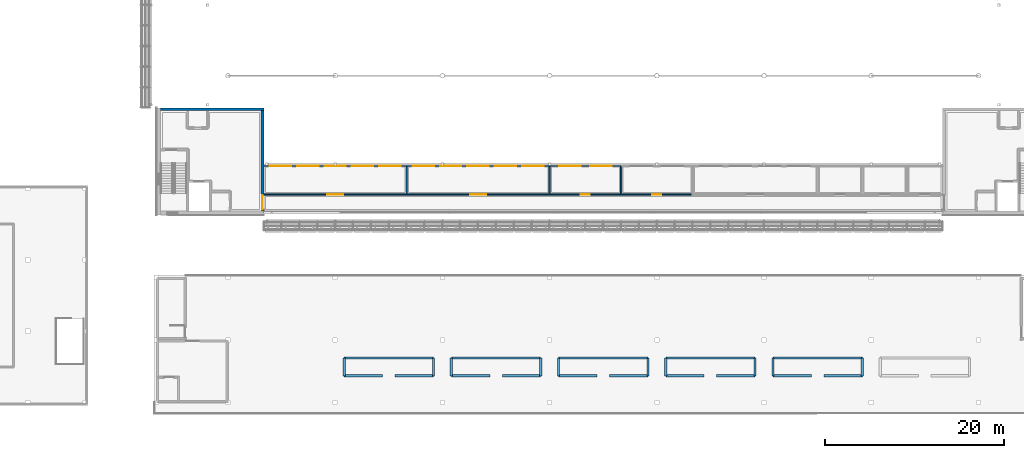
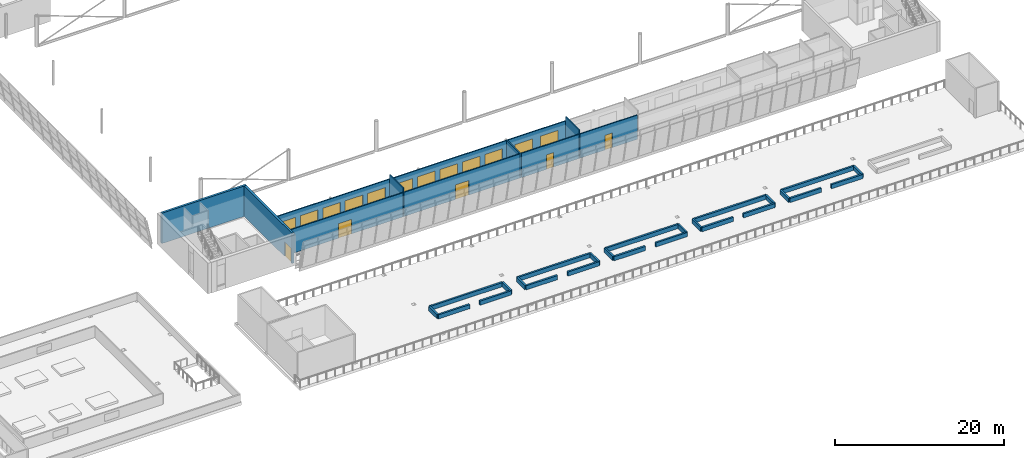
# One storey, part 49 of 95: 37 walls, 12 windows, 5 doors, 17 openings.
"""IFC4 building model written with IfcOpenShell, lengths in metres."""

from ifc_helpers import new_model, si_unit, direction, frame, frame_2d, origin, place, context, subcontext, project, spatial, rectangle, extrude, material, layer, layer_set, type_object, element, fill, save


model = new_model("IFC4")

# Units and contexts
model_context = context("Model", 3, precision=1e-05, world=origin(), true_north=direction((0.0, 1.0)))
body_context = subcontext(model_context, "Body", "Model", "MODEL_VIEW")
ifc_project = project(units=[si_unit("LENGTHUNIT", "METRE"), si_unit("AREAUNIT", "SQUARE_METRE"), si_unit("VOLUMEUNIT", "CUBIC_METRE"), si_unit("PLANEANGLEUNIT", "RADIAN"), si_unit("MASSUNIT", "GRAM", prefix="KILO")], contexts=[model_context])

# Site, building, storey
site_placement = place(None, origin())
site = spatial("IfcSite", under=ifc_project, at=site_placement, CompositionType="ELEMENT")
building_placement = place(site_placement, origin())
building = spatial("IfcBuilding", under=site, at=building_placement, Name="Windward Yard Aquatics Centre", CompositionType="ELEMENT")
storey_placement = place(building_placement, frame((0.0, 0.0, 9.39990234375)))
storey = spatial("IfcBuildingStorey", under=building, at=storey_placement, Name="L02", CompositionType="ELEMENT", Elevation=9.39990234375)

# Walls
ifc_material_1 = material(Name="Bituminous waterproofing membrane with root barrier")
ifc_layer_1 = layer(ifc_material_1, 0.005, Name="Waterproofing and root barrier")
ifc_material_2 = material(Name="Concrete C35/45", Category="concrete")
ifc_layer_2 = layer(ifc_material_2, 0.245, Name="Structure")
ifc_layer_set_1 = layer_set([ifc_layer_1, ifc_layer_2], Name="C planter wall 250")
wall_type_1 = type_object("IfcWallType", Name="C planter wall 250", PredefinedType="SOLIDWALL", material=ifc_layer_set_1)
for number, where, z_axis, x_axis, name in (
    (1, (73.0, 8.0, 0.0), (0.0, 0.0, 1.0), (1.0, 0.0, 0.0), "C.W.L02.PL2S1"),
    (2, (78.699951171875, 8.0, 0.0), (0.0, 0.0, 1.0), (1.0, 0.0, 0.0), "C.W.L02.PL2S2"),
):
    element("IfcWall", number, at=place(storey_placement, frame(where, z_axis=z_axis, x_axis=x_axis)), inside=storey, type_object=wall_type_1, Name=name, PredefinedType="SOLIDWALL", context=body_context, shape_type="SweptSolid", body=[
        extrude(rectangle(XDim=4.300048828125, YDim=0.25, at=frame_2d((2.14990234375, 0.0))), origin(), (0.0, 0.0, 1.0), 0.60009765625),
    ])
wall_1_placement = place(storey_placement, frame((73.0, 10.0, 0.0), z_axis=(0.0, 0.0, 1.0), x_axis=(1.0, 0.0, 0.0)))
element("IfcWall", 3, at=wall_1_placement, inside=storey, type_object=wall_type_1, Name="C.W.L02.PL2N", PredefinedType="SOLIDWALL", context=body_context, shape_type="SweptSolid", body=[
    extrude(rectangle(XDim=10.0, YDim=0.25, at=frame_2d((5.0, 0.0))), origin(), (0.0, 0.0, 1.0), 0.60009765625),
])
for number, where, z_axis, x_axis, name in (
    (4, (73.0, 8.0, 0.0), (0.0, 0.0, 1.0), (0.0, 1.0, 0.0), "C.W.L02.PL2W"),
    (5, (83.0, 8.0, 0.0), (0.0, 0.0, 1.0), (0.0, 1.0, 0.0), "C.W.L02.PL2E"),
):
    element("IfcWall", number, at=place(storey_placement, frame(where, z_axis=z_axis, x_axis=x_axis)), inside=storey, type_object=wall_type_1, Name=name, PredefinedType="SOLIDWALL", context=body_context, shape_type="SweptSolid", body=[
        extrude(rectangle(XDim=2.0, YDim=0.25, at=frame_2d((1.0, 0.0))), origin(), (0.0, 0.0, 1.0), 0.60009765625),
    ])
for number, where, z_axis, x_axis, name in (
    (6, (85.0, 8.0, 0.0), (0.0, 0.0, 1.0), (1.0, 0.0, 0.0), "C.W.L02.PL3S1"),
    (7, (90.699951171875, 8.0, 0.0), (0.0, 0.0, 1.0), (1.0, 0.0, 0.0), "C.W.L02.PL3S2"),
):
    element("IfcWall", number, at=place(storey_placement, frame(where, z_axis=z_axis, x_axis=x_axis)), inside=storey, type_object=wall_type_1, Name=name, PredefinedType="SOLIDWALL", context=body_context, shape_type="SweptSolid", body=[
        extrude(rectangle(XDim=4.300048828125, YDim=0.25, at=frame_2d((2.14990234375, 0.0))), origin(), (0.0, 0.0, 1.0), 0.60009765625),
    ])
wall_2_placement = place(storey_placement, frame((85.0, 10.0, 0.0), z_axis=(0.0, 0.0, 1.0), x_axis=(1.0, 0.0, 0.0)))
element("IfcWall", 8, at=wall_2_placement, inside=storey, type_object=wall_type_1, Name="C.W.L02.PL3N", PredefinedType="SOLIDWALL", context=body_context, shape_type="SweptSolid", body=[
    extrude(rectangle(XDim=10.0, YDim=0.25, at=frame_2d((5.0, 0.0))), origin(), (0.0, 0.0, 1.0), 0.60009765625),
])
for number, where, z_axis, x_axis, name in (
    (9, (85.0, 8.0, 0.0), (0.0, 0.0, 1.0), (0.0, 1.0, 0.0), "C.W.L02.PL3W"),
    (10, (95.0, 8.0, 0.0), (0.0, 0.0, 1.0), (0.0, 1.0, 0.0), "C.W.L02.PL3E"),
):
    element("IfcWall", number, at=place(storey_placement, frame(where, z_axis=z_axis, x_axis=x_axis)), inside=storey, type_object=wall_type_1, Name=name, PredefinedType="SOLIDWALL", context=body_context, shape_type="SweptSolid", body=[
        extrude(rectangle(XDim=2.0, YDim=0.25, at=frame_2d((1.0, 0.0))), origin(), (0.0, 0.0, 1.0), 0.60009765625),
    ])
for number, where, z_axis, x_axis, name in (
    (11, (97.0, 8.0, 0.0), (0.0, 0.0, 1.0), (1.0, 0.0, 0.0), "C.W.L02.PL4S1"),
    (12, (102.699951171875, 8.0, 0.0), (0.0, 0.0, 1.0), (1.0, 0.0, 0.0), "C.W.L02.PL4S2"),
):
    element("IfcWall", number, at=place(storey_placement, frame(where, z_axis=z_axis, x_axis=x_axis)), inside=storey, type_object=wall_type_1, Name=name, PredefinedType="SOLIDWALL", context=body_context, shape_type="SweptSolid", body=[
        extrude(rectangle(XDim=4.300048828125, YDim=0.25, at=frame_2d((2.14990234375, 0.0))), origin(), (0.0, 0.0, 1.0), 0.60009765625),
    ])
wall_3_placement = place(storey_placement, frame((97.0, 10.0, 0.0), z_axis=(0.0, 0.0, 1.0), x_axis=(1.0, 0.0, 0.0)))
element("IfcWall", 13, at=wall_3_placement, inside=storey, type_object=wall_type_1, Name="C.W.L02.PL4N", PredefinedType="SOLIDWALL", context=body_context, shape_type="SweptSolid", body=[
    extrude(rectangle(XDim=10.0, YDim=0.25, at=frame_2d((5.0, 0.0))), origin(), (0.0, 0.0, 1.0), 0.60009765625),
])
for number, where, z_axis, x_axis, name in (
    (14, (97.0, 8.0, 0.0), (0.0, 0.0, 1.0), (0.0, 1.0, 0.0), "C.W.L02.PL4W"),
    (15, (107.0, 8.0, 0.0), (0.0, 0.0, 1.0), (0.0, 1.0, 0.0), "C.W.L02.PL4E"),
):
    element("IfcWall", number, at=place(storey_placement, frame(where, z_axis=z_axis, x_axis=x_axis)), inside=storey, type_object=wall_type_1, Name=name, PredefinedType="SOLIDWALL", context=body_context, shape_type="SweptSolid", body=[
        extrude(rectangle(XDim=2.0, YDim=0.25, at=frame_2d((1.0, 0.0))), origin(), (0.0, 0.0, 1.0), 0.60009765625),
    ])
for number, where, z_axis, x_axis, name in (
    (16, (109.0, 8.0, 0.0), (0.0, 0.0, 1.0), (1.0, 0.0, 0.0), "C.W.L02.PL5S1"),
    (17, (114.699951171875, 8.0, 0.0), (0.0, 0.0, 1.0), (1.0, 0.0, 0.0), "C.W.L02.PL5S2"),
):
    element("IfcWall", number, at=place(storey_placement, frame(where, z_axis=z_axis, x_axis=x_axis)), inside=storey, type_object=wall_type_1, Name=name, PredefinedType="SOLIDWALL", context=body_context, shape_type="SweptSolid", body=[
        extrude(rectangle(XDim=4.300048828125, YDim=0.25, at=frame_2d((2.14990234375, 0.0))), origin(), (0.0, 0.0, 1.0), 0.60009765625),
    ])
wall_4_placement = place(storey_placement, frame((109.0, 10.0, 0.0), z_axis=(0.0, 0.0, 1.0), x_axis=(1.0, 0.0, 0.0)))
element("IfcWall", 18, at=wall_4_placement, inside=storey, type_object=wall_type_1, Name="C.W.L02.PL5N", PredefinedType="SOLIDWALL", context=body_context, shape_type="SweptSolid", body=[
    extrude(rectangle(XDim=10.0, YDim=0.25, at=frame_2d((5.0, 0.0))), origin(), (0.0, 0.0, 1.0), 0.60009765625),
])
for number, where, z_axis, x_axis, name in (
    (19, (109.0, 8.0, 0.0), (0.0, 0.0, 1.0), (0.0, 1.0, 0.0), "C.W.L02.PL5W"),
    (20, (119.0, 8.0, 0.0), (0.0, 0.0, 1.0), (0.0, 1.0, 0.0), "C.W.L02.PL5E"),
):
    element("IfcWall", number, at=place(storey_placement, frame(where, z_axis=z_axis, x_axis=x_axis)), inside=storey, type_object=wall_type_1, Name=name, PredefinedType="SOLIDWALL", context=body_context, shape_type="SweptSolid", body=[
        extrude(rectangle(XDim=2.0, YDim=0.25, at=frame_2d((1.0, 0.0))), origin(), (0.0, 0.0, 1.0), 0.60009765625),
    ])
for number, where, z_axis, x_axis, name in (
    (21, (121.0, 8.0, 0.0), (0.0, 0.0, 1.0), (1.0, 0.0, 0.0), "C.W.L02.PL6S1"),
    (22, (126.699951171875, 8.0, 0.0), (0.0, 0.0, 1.0), (1.0, 0.0, 0.0), "C.W.L02.PL6S2"),
):
    element("IfcWall", number, at=place(storey_placement, frame(where, z_axis=z_axis, x_axis=x_axis)), inside=storey, type_object=wall_type_1, Name=name, PredefinedType="SOLIDWALL", context=body_context, shape_type="SweptSolid", body=[
        extrude(rectangle(XDim=4.300048828125, YDim=0.25, at=frame_2d((2.14990234375, 0.0))), origin(), (0.0, 0.0, 1.0), 0.60009765625),
    ])
wall_5_placement = place(storey_placement, frame((121.0, 10.0, 0.0), z_axis=(0.0, 0.0, 1.0), x_axis=(1.0, 0.0, 0.0)))
element("IfcWall", 23, at=wall_5_placement, inside=storey, type_object=wall_type_1, Name="C.W.L02.PL6N", PredefinedType="SOLIDWALL", context=body_context, shape_type="SweptSolid", body=[
    extrude(rectangle(XDim=10.0, YDim=0.25, at=frame_2d((5.0, 0.0))), origin(), (0.0, 0.0, 1.0), 0.60009765625),
])
for number, where, z_axis, x_axis, name in (
    (24, (121.0, 8.0, 0.0), (0.0, 0.0, 1.0), (0.0, 1.0, 0.0), "C.W.L02.PL6W"),
    (25, (131.0, 8.0, 0.0), (0.0, 0.0, 1.0), (0.0, 1.0, 0.0), "C.W.L02.PL6E"),
):
    element("IfcWall", number, at=place(storey_placement, frame(where, z_axis=z_axis, x_axis=x_axis)), inside=storey, type_object=wall_type_1, Name=name, PredefinedType="SOLIDWALL", context=body_context, shape_type="SweptSolid", body=[
        extrude(rectangle(XDim=2.0, YDim=0.25, at=frame_2d((1.0, 0.0))), origin(), (0.0, 0.0, 1.0), 0.60009765625),
    ])

# Wall, opening, door
ifc_material_3 = material(Name="Blockwork 150 mm", Category="masonry")
ifc_layer_3 = layer(ifc_material_3, 0.14990234375)
ifc_layer_set_2 = layer_set([ifc_layer_3], Name="H Partition Blockwork 150")
wall_type_2 = type_object("IfcWallType", Name="H Partition Blockwork 150", PredefinedType="PARTITIONING", material=ifc_layer_set_2)
wall_6_placement = place(storey_placement, frame((64.0, 28.300048828125, 0.0), z_axis=(0.0, 0.0, 1.0), x_axis=(1.0, 0.0, 0.0)))
wall_6 = element("IfcWall", 26, at=wall_6_placement, inside=storey, type_object=wall_type_2, Name="L02 partition Hospitality Lounge", PredefinedType="PARTITIONING", context=body_context, shape_type="SweptSolid", body=[
    extrude(rectangle(XDim=15.925048828125, YDim=0.14990234375, at=frame_2d((7.96240234375, 0.0))), origin(), (0.0, 0.0, 1.0), 3.49609375),
])
opening_1_placement = place(wall_6_placement, frame((7.10009765625, 0.0, 0.0)))
opening_1 = element("IfcOpeningElement", 27, at=opening_1_placement, cuts=wall_6, Name="Opening H2021", PredefinedType="OPENING", context=body_context, shape_type="SweptSolid", body=[
    extrude(rectangle(XDim=1.800048828125, YDim=2.10009765625, at=frame_2d((0.89990234375, 1.050048828125))), frame((0.0, 0.0849609375, 0.0), z_axis=(0.0, -1.0, 0.0), x_axis=(1.0, 0.0, 0.0)), (0.0, 0.0, 1.0), 0.169921875),
])
ifc_material_4 = material(Name="Steel and timber door leaf", Category="steel")
door_type_1 = type_object("IfcDoorType", Name="H Door Double 1800 x 2100 FD30S", OperationType="DOUBLE_DOOR_SINGLE_SWING", PredefinedType="DOOR", material=ifc_material_4)
door_1_placement = place(opening_1_placement, origin())
door_1 = element("IfcDoor", 28, at=door_1_placement, inside=storey, type_object=door_type_1, Name="L02 Hospitality Lounge door", OperationType="DOUBLE_DOOR_SINGLE_SWING", OverallHeight=2.10009765625, OverallWidth=1.800048828125, PredefinedType="DOOR", context=body_context, shape_type="SweptSolid", body=[
    extrude(rectangle(XDim=1.800048828125, YDim=2.10009765625, at=frame_2d((0.89990234375, 1.050048828125))), frame((0.0, 0.02490234375, 0.0), z_axis=(0.0, -1.0, 0.0), x_axis=(1.0, 0.0, 0.0)), (0.0, 0.0, 1.0), 0.050048828125),
])
fill(opening_1, door_1)

# Wall
wall_7_placement = place(storey_placement, frame((80.0, 31.40966796875, 0.0), z_axis=(0.0, 0.0, 1.0), x_axis=(0.0, -1.0, 0.0)))
element("IfcWall", 29, at=wall_7_placement, inside=storey, type_object=wall_type_2, Name="L02 partition Hospitality Lounge", PredefinedType="PARTITIONING", context=body_context, shape_type="SweptSolid", body=[
    extrude(rectangle(XDim=3.1845703125, YDim=0.14990234375, at=frame_2d((1.59228515625, 0.0))), origin(), (0.0, 0.0, 1.0), 4.150146484375),
])

# Wall, openings, windows
wall_8_placement = place(storey_placement, frame((64.0, 31.484619140625, 0.0), z_axis=(0.0, 0.0, 1.0), x_axis=(1.0, 0.0, 0.0)))
wall_8 = element("IfcWall", 30, at=wall_8_placement, inside=storey, type_object=wall_type_2, Name="L02 wall Hospitality Lounge", PredefinedType="PARTITIONING", context=body_context, shape_type="SweptSolid", body=[
    extrude(rectangle(XDim=16.0, YDim=0.14990234375, at=frame_2d((8.0, 0.0))), origin(), (0.0, 0.0, 1.0), 3.49609375),
])
opening_2_placement = place(wall_8_placement, frame((0.666748046875, 0.0, 1.0)))
opening_2 = element("IfcOpeningElement", 31, at=opening_2_placement, cuts=wall_8, Name="Opening W2049", PredefinedType="OPENING", context=body_context, shape_type="SweptSolid", body=[
    extrude(rectangle(XDim=2.39990234375, YDim=1.5, at=frame_2d((1.199951171875, 0.75))), frame((0.0, 0.0849609375, 0.0), z_axis=(0.0, -1.0, 0.0), x_axis=(1.0, 0.0, 0.0)), (0.0, 0.0, 1.0), 0.169921875),
])
opening_3_placement = place(wall_8_placement, frame((3.7333984375, 0.0, 1.0)))
opening_3 = element("IfcOpeningElement", 32, at=opening_3_placement, cuts=wall_8, Name="Opening W2050", PredefinedType="OPENING", context=body_context, shape_type="SweptSolid", body=[
    extrude(rectangle(XDim=2.39990234375, YDim=1.5, at=frame_2d((1.199951171875, 0.75))), frame((0.0, 0.0849609375, 0.0), z_axis=(0.0, -1.0, 0.0), x_axis=(1.0, 0.0, 0.0)), (0.0, 0.0, 1.0), 0.169921875),
])
opening_4_placement = place(wall_8_placement, frame((6.800048828125, 0.0, 1.0)))
opening_4 = element("IfcOpeningElement", 33, at=opening_4_placement, cuts=wall_8, Name="Opening W2051", PredefinedType="OPENING", context=body_context, shape_type="SweptSolid", body=[
    extrude(rectangle(XDim=2.39990234375, YDim=1.5, at=frame_2d((1.199951171875, 0.75))), frame((0.0, 0.0849609375, 0.0), z_axis=(0.0, -1.0, 0.0), x_axis=(1.0, 0.0, 0.0)), (0.0, 0.0, 1.0), 0.169921875),
])
opening_5_placement = place(wall_8_placement, frame((9.86669921875, 0.0, 1.0)))
opening_5 = element("IfcOpeningElement", 34, at=opening_5_placement, cuts=wall_8, Name="Opening W2052", PredefinedType="OPENING", context=body_context, shape_type="SweptSolid", body=[
    extrude(rectangle(XDim=2.39990234375, YDim=1.5, at=frame_2d((1.199951171875, 0.75))), frame((0.0, 0.0849609375, 0.0), z_axis=(0.0, -1.0, 0.0), x_axis=(1.0, 0.0, 0.0)), (0.0, 0.0, 1.0), 0.169921875),
])
opening_6_placement = place(wall_8_placement, frame((12.933349609375, 0.0, 1.0)))
opening_6 = element("IfcOpeningElement", 35, at=opening_6_placement, cuts=wall_8, Name="Opening W2053", PredefinedType="OPENING", context=body_context, shape_type="SweptSolid", body=[
    extrude(rectangle(XDim=2.39990234375, YDim=1.5, at=frame_2d((1.199951171875, 0.75))), frame((0.0, 0.0849609375, 0.0), z_axis=(0.0, -1.0, 0.0), x_axis=(1.0, 0.0, 0.0)), (0.0, 0.0, 1.0), 0.169921875),
])
ifc_material_5 = material(Name="Laminated glass in aluminium frame", Category="aluminium")
window_type = type_object("IfcWindowType", Name="H Gallery Window 2400 x 1500", PartitioningType="SINGLE_PANEL", PredefinedType="WINDOW", material=ifc_material_5)
window_1_placement = place(opening_2_placement, origin())
window_1 = element("IfcWindow", 36, at=window_1_placement, inside=storey, type_object=window_type, Name="L02 Hospitality Lounge viewing window", OverallHeight=1.5, OverallWidth=2.39990234375, PartitioningType="SINGLE_PANEL", PredefinedType="WINDOW", context=body_context, shape_type="SweptSolid", body=[
    extrude(rectangle(XDim=2.39990234375, YDim=1.5, at=frame_2d((1.199951171875, 0.75))), frame((0.0, 0.030029296875, 0.0), z_axis=(0.0, -1.0, 0.0), x_axis=(1.0, 0.0, 0.0)), (0.0, 0.0, 1.0), 0.06005859375),
])
fill(opening_2, window_1)
window_2_placement = place(opening_3_placement, origin())
window_2 = element("IfcWindow", 37, at=window_2_placement, inside=storey, type_object=window_type, Name="L02 Hospitality Lounge viewing window", OverallHeight=1.5, OverallWidth=2.39990234375, PartitioningType="SINGLE_PANEL", PredefinedType="WINDOW", context=body_context, shape_type="SweptSolid", body=[
    extrude(rectangle(XDim=2.39990234375, YDim=1.5, at=frame_2d((1.199951171875, 0.75))), frame((0.0, 0.030029296875, 0.0), z_axis=(0.0, -1.0, 0.0), x_axis=(1.0, 0.0, 0.0)), (0.0, 0.0, 1.0), 0.06005859375),
])
fill(opening_3, window_2)
window_3_placement = place(opening_4_placement, origin())
window_3 = element("IfcWindow", 38, at=window_3_placement, inside=storey, type_object=window_type, Name="L02 Hospitality Lounge viewing window", OverallHeight=1.5, OverallWidth=2.39990234375, PartitioningType="SINGLE_PANEL", PredefinedType="WINDOW", context=body_context, shape_type="SweptSolid", body=[
    extrude(rectangle(XDim=2.39990234375, YDim=1.5, at=frame_2d((1.199951171875, 0.75))), frame((0.0, 0.030029296875, 0.0), z_axis=(0.0, -1.0, 0.0), x_axis=(1.0, 0.0, 0.0)), (0.0, 0.0, 1.0), 0.06005859375),
])
fill(opening_4, window_3)
window_4_placement = place(opening_5_placement, origin())
window_4 = element("IfcWindow", 39, at=window_4_placement, inside=storey, type_object=window_type, Name="L02 Hospitality Lounge viewing window", OverallHeight=1.5, OverallWidth=2.39990234375, PartitioningType="SINGLE_PANEL", PredefinedType="WINDOW", context=body_context, shape_type="SweptSolid", body=[
    extrude(rectangle(XDim=2.39990234375, YDim=1.5, at=frame_2d((1.199951171875, 0.75))), frame((0.0, 0.030029296875, 0.0), z_axis=(0.0, -1.0, 0.0), x_axis=(1.0, 0.0, 0.0)), (0.0, 0.0, 1.0), 0.06005859375),
])
fill(opening_5, window_4)
window_5_placement = place(opening_6_placement, origin())
window_5 = element("IfcWindow", 40, at=window_5_placement, inside=storey, type_object=window_type, Name="L02 Hospitality Lounge viewing window", OverallHeight=1.5, OverallWidth=2.39990234375, PartitioningType="SINGLE_PANEL", PredefinedType="WINDOW", context=body_context, shape_type="SweptSolid", body=[
    extrude(rectangle(XDim=2.39990234375, YDim=1.5, at=frame_2d((1.199951171875, 0.75))), frame((0.0, 0.030029296875, 0.0), z_axis=(0.0, -1.0, 0.0), x_axis=(1.0, 0.0, 0.0)), (0.0, 0.0, 1.0), 0.06005859375),
])
fill(opening_6, window_5)

# Wall, opening, door
wall_9_placement = place(storey_placement, frame((80.074951171875, 28.300048828125, 0.0), z_axis=(0.0, 0.0, 1.0), x_axis=(1.0, 0.0, 0.0)))
wall_9 = element("IfcWall", 41, at=wall_9_placement, inside=storey, type_object=wall_type_2, Name="L02 partition Media Tribune", PredefinedType="PARTITIONING", context=body_context, shape_type="SweptSolid", body=[
    extrude(rectangle(XDim=15.85009765625, YDim=0.14990234375, at=frame_2d((7.925048828125, 0.0))), origin(), (0.0, 0.0, 1.0), 3.49609375),
])
opening_7_placement = place(wall_9_placement, frame((7.02490234375, 0.0, 0.0)))
opening_7 = element("IfcOpeningElement", 42, at=opening_7_placement, cuts=wall_9, Name="Opening H2022", PredefinedType="OPENING", context=body_context, shape_type="SweptSolid", body=[
    extrude(rectangle(XDim=1.800048828125, YDim=2.10009765625, at=frame_2d((0.89990234375, 1.050048828125))), frame((0.0, 0.0849609375, 0.0), z_axis=(0.0, -1.0, 0.0), x_axis=(1.0, 0.0, 0.0)), (0.0, 0.0, 1.0), 0.169921875),
])
door_2_placement = place(opening_7_placement, origin())
door_2 = element("IfcDoor", 43, at=door_2_placement, inside=storey, type_object=door_type_1, Name="L02 Media Tribune door", OperationType="DOUBLE_DOOR_SINGLE_SWING", OverallHeight=2.10009765625, OverallWidth=1.800048828125, PredefinedType="DOOR", context=body_context, shape_type="SweptSolid", body=[
    extrude(rectangle(XDim=1.800048828125, YDim=2.10009765625, at=frame_2d((0.89990234375, 1.050048828125))), frame((0.0, 0.02490234375, 0.0), z_axis=(0.0, -1.0, 0.0), x_axis=(1.0, 0.0, 0.0)), (0.0, 0.0, 1.0), 0.050048828125),
])
fill(opening_7, door_2)

# Wall
wall_10_placement = place(storey_placement, frame((96.0, 31.40966796875, 0.0), z_axis=(0.0, 0.0, 1.0), x_axis=(0.0, -1.0, 0.0)))
element("IfcWall", 44, at=wall_10_placement, inside=storey, type_object=wall_type_2, Name="L02 partition Media Tribune", PredefinedType="PARTITIONING", context=body_context, shape_type="SweptSolid", body=[
    extrude(rectangle(XDim=3.1845703125, YDim=0.14990234375, at=frame_2d((1.59228515625, 0.0))), origin(), (0.0, 0.0, 1.0), 3.49609375),
])

# Wall, openings, windows
wall_11_placement = place(storey_placement, frame((80.0, 31.484619140625, 0.0), z_axis=(0.0, 0.0, 1.0), x_axis=(1.0, 0.0, 0.0)))
wall_11 = element("IfcWall", 45, at=wall_11_placement, inside=storey, type_object=wall_type_2, Name="L02 wall Media Tribune", PredefinedType="PARTITIONING", context=body_context, shape_type="SweptSolid", body=[
    extrude(rectangle(XDim=16.0, YDim=0.14990234375, at=frame_2d((8.0, 0.0))), origin(), (0.0, 0.0, 1.0), 3.49609375),
])
opening_8_placement = place(wall_11_placement, frame((0.666748046875, 0.0, 1.0)))
opening_8 = element("IfcOpeningElement", 46, at=opening_8_placement, cuts=wall_11, Name="Opening W2054", PredefinedType="OPENING", context=body_context, shape_type="SweptSolid", body=[
    extrude(rectangle(XDim=2.39990234375, YDim=1.5, at=frame_2d((1.199951171875, 0.75))), frame((0.0, 0.0849609375, 0.0), z_axis=(0.0, -1.0, 0.0), x_axis=(1.0, 0.0, 0.0)), (0.0, 0.0, 1.0), 0.169921875),
])
opening_9_placement = place(wall_11_placement, frame((3.7333984375, 0.0, 1.0)))
opening_9 = element("IfcOpeningElement", 47, at=opening_9_placement, cuts=wall_11, Name="Opening W2055", PredefinedType="OPENING", context=body_context, shape_type="SweptSolid", body=[
    extrude(rectangle(XDim=2.39990234375, YDim=1.5, at=frame_2d((1.199951171875, 0.75))), frame((0.0, 0.0849609375, 0.0), z_axis=(0.0, -1.0, 0.0), x_axis=(1.0, 0.0, 0.0)), (0.0, 0.0, 1.0), 0.169921875),
])
opening_10_placement = place(wall_11_placement, frame((6.800048828125, 0.0, 1.0)))
opening_10 = element("IfcOpeningElement", 48, at=opening_10_placement, cuts=wall_11, Name="Opening W2056", PredefinedType="OPENING", context=body_context, shape_type="SweptSolid", body=[
    extrude(rectangle(XDim=2.39990234375, YDim=1.5, at=frame_2d((1.199951171875, 0.75))), frame((0.0, 0.0849609375, 0.0), z_axis=(0.0, -1.0, 0.0), x_axis=(1.0, 0.0, 0.0)), (0.0, 0.0, 1.0), 0.169921875),
])
opening_11_placement = place(wall_11_placement, frame((9.86669921875, 0.0, 1.0)))
opening_11 = element("IfcOpeningElement", 49, at=opening_11_placement, cuts=wall_11, Name="Opening W2057", PredefinedType="OPENING", context=body_context, shape_type="SweptSolid", body=[
    extrude(rectangle(XDim=2.39990234375, YDim=1.5, at=frame_2d((1.199951171875, 0.75))), frame((0.0, 0.0849609375, 0.0), z_axis=(0.0, -1.0, 0.0), x_axis=(1.0, 0.0, 0.0)), (0.0, 0.0, 1.0), 0.169921875),
])
opening_12_placement = place(wall_11_placement, frame((12.933349609375, 0.0, 1.0)))
opening_12 = element("IfcOpeningElement", 50, at=opening_12_placement, cuts=wall_11, Name="Opening W2058", PredefinedType="OPENING", context=body_context, shape_type="SweptSolid", body=[
    extrude(rectangle(XDim=2.39990234375, YDim=1.5, at=frame_2d((1.199951171875, 0.75))), frame((0.0, 0.0849609375, 0.0), z_axis=(0.0, -1.0, 0.0), x_axis=(1.0, 0.0, 0.0)), (0.0, 0.0, 1.0), 0.169921875),
])
window_6_placement = place(opening_8_placement, origin())
window_6 = element("IfcWindow", 51, at=window_6_placement, inside=storey, type_object=window_type, Name="L02 Media Tribune viewing window", OverallHeight=1.5, OverallWidth=2.39990234375, PartitioningType="SINGLE_PANEL", PredefinedType="WINDOW", context=body_context, shape_type="SweptSolid", body=[
    extrude(rectangle(XDim=2.39990234375, YDim=1.5, at=frame_2d((1.199951171875, 0.75))), frame((0.0, 0.030029296875, 0.0), z_axis=(0.0, -1.0, 0.0), x_axis=(1.0, 0.0, 0.0)), (0.0, 0.0, 1.0), 0.06005859375),
])
fill(opening_8, window_6)
window_7_placement = place(opening_9_placement, origin())
window_7 = element("IfcWindow", 52, at=window_7_placement, inside=storey, type_object=window_type, Name="L02 Media Tribune viewing window", OverallHeight=1.5, OverallWidth=2.39990234375, PartitioningType="SINGLE_PANEL", PredefinedType="WINDOW", context=body_context, shape_type="SweptSolid", body=[
    extrude(rectangle(XDim=2.39990234375, YDim=1.5, at=frame_2d((1.199951171875, 0.75))), frame((0.0, 0.030029296875, 0.0), z_axis=(0.0, -1.0, 0.0), x_axis=(1.0, 0.0, 0.0)), (0.0, 0.0, 1.0), 0.06005859375),
])
fill(opening_9, window_7)
window_8_placement = place(opening_10_placement, origin())
window_8 = element("IfcWindow", 53, at=window_8_placement, inside=storey, type_object=window_type, Name="L02 Media Tribune viewing window", OverallHeight=1.5, OverallWidth=2.39990234375, PartitioningType="SINGLE_PANEL", PredefinedType="WINDOW", context=body_context, shape_type="SweptSolid", body=[
    extrude(rectangle(XDim=2.39990234375, YDim=1.5, at=frame_2d((1.199951171875, 0.75))), frame((0.0, 0.030029296875, 0.0), z_axis=(0.0, -1.0, 0.0), x_axis=(1.0, 0.0, 0.0)), (0.0, 0.0, 1.0), 0.06005859375),
])
fill(opening_10, window_8)
window_9_placement = place(opening_11_placement, origin())
window_9 = element("IfcWindow", 54, at=window_9_placement, inside=storey, type_object=window_type, Name="L02 Media Tribune viewing window", OverallHeight=1.5, OverallWidth=2.39990234375, PartitioningType="SINGLE_PANEL", PredefinedType="WINDOW", context=body_context, shape_type="SweptSolid", body=[
    extrude(rectangle(XDim=2.39990234375, YDim=1.5, at=frame_2d((1.199951171875, 0.75))), frame((0.0, 0.030029296875, 0.0), z_axis=(0.0, -1.0, 0.0), x_axis=(1.0, 0.0, 0.0)), (0.0, 0.0, 1.0), 0.06005859375),
])
fill(opening_11, window_9)
window_10_placement = place(opening_12_placement, origin())
window_10 = element("IfcWindow", 55, at=window_10_placement, inside=storey, type_object=window_type, Name="L02 Media Tribune viewing window", OverallHeight=1.5, OverallWidth=2.39990234375, PartitioningType="SINGLE_PANEL", PredefinedType="WINDOW", context=body_context, shape_type="SweptSolid", body=[
    extrude(rectangle(XDim=2.39990234375, YDim=1.5, at=frame_2d((1.199951171875, 0.75))), frame((0.0, 0.030029296875, 0.0), z_axis=(0.0, -1.0, 0.0), x_axis=(1.0, 0.0, 0.0)), (0.0, 0.0, 1.0), 0.06005859375),
])
fill(opening_12, window_10)

# Wall, opening, door
wall_12_placement = place(storey_placement, frame((96.074951171875, 28.300048828125, 0.0), z_axis=(0.0, 0.0, 1.0), x_axis=(1.0, 0.0, 0.0)))
wall_12 = element("IfcWall", 56, at=wall_12_placement, inside=storey, type_object=wall_type_2, Name="L02 partition Broadcast Control Room", PredefinedType="PARTITIONING", context=body_context, shape_type="SweptSolid", body=[
    extrude(rectangle(XDim=7.85009765625, YDim=0.14990234375, at=frame_2d((3.925048828125, 0.0))), origin(), (0.0, 0.0, 1.0), 3.49609375),
])
opening_13_placement = place(wall_12_placement, frame((3.425048828125, 0.0, 0.0)))
opening_13 = element("IfcOpeningElement", 57, at=opening_13_placement, cuts=wall_12, Name="Opening H2023", PredefinedType="OPENING", context=body_context, shape_type="SweptSolid", body=[
    extrude(rectangle(XDim=1.0, YDim=2.10009765625, at=frame_2d((0.5, 1.050048828125))), frame((0.0, 0.0849609375, 0.0), z_axis=(0.0, -1.0, 0.0), x_axis=(1.0, 0.0, 0.0)), (0.0, 0.0, 1.0), 0.169921875),
])
door_type_2 = type_object("IfcDoorType", Name="H Door Single 1000 x 2100 FD30S", OperationType="NOTDEFINED", PredefinedType="DOOR", material=ifc_material_4)
door_3_placement = place(opening_13_placement, origin())
door_3 = element("IfcDoor", 58, at=door_3_placement, inside=storey, type_object=door_type_2, Name="L02 Broadcast Control Room door", OperationType="SINGLE_SWING_LEFT", OverallHeight=2.10009765625, OverallWidth=1.0, PredefinedType="DOOR", context=body_context, shape_type="SweptSolid", body=[
    extrude(rectangle(XDim=1.0, YDim=2.10009765625, at=frame_2d((0.5, 1.050048828125))), frame((0.0, 0.02490234375, 0.0), z_axis=(0.0, -1.0, 0.0), x_axis=(1.0, 0.0, 0.0)), (0.0, 0.0, 1.0), 0.050048828125),
])
fill(opening_13, door_3)

# Wall
wall_13_placement = place(storey_placement, frame((104.0, 31.40966796875, 0.0), z_axis=(0.0, 0.0, 1.0), x_axis=(0.0, -1.0, 0.0)))
element("IfcWall", 59, at=wall_13_placement, inside=storey, type_object=wall_type_2, Name="L02 partition Broadcast Control Room", PredefinedType="PARTITIONING", context=body_context, shape_type="SweptSolid", body=[
    extrude(rectangle(XDim=3.1845703125, YDim=0.14990234375, at=frame_2d((1.59228515625, 0.0))), origin(), (0.0, 0.0, 1.0), 4.150146484375),
])

# Wall, openings, windows
wall_14_placement = place(storey_placement, frame((96.0, 31.484619140625, 0.0), z_axis=(0.0, 0.0, 1.0), x_axis=(1.0, 0.0, 0.0)))
wall_14 = element("IfcWall", 60, at=wall_14_placement, inside=storey, type_object=wall_type_2, Name="L02 wall Broadcast Control Room", PredefinedType="PARTITIONING", context=body_context, shape_type="SweptSolid", body=[
    extrude(rectangle(XDim=8.0, YDim=0.14990234375, at=frame_2d((4.0, 0.0))), origin(), (0.0, 0.0, 1.0), 3.49609375),
])
opening_14_placement = place(wall_14_placement, frame((1.066650390625, 0.0, 1.0)))
opening_14 = element("IfcOpeningElement", 61, at=opening_14_placement, cuts=wall_14, Name="Opening W2059", PredefinedType="OPENING", context=body_context, shape_type="SweptSolid", body=[
    extrude(rectangle(XDim=2.39990234375, YDim=1.5, at=frame_2d((1.199951171875, 0.75))), frame((0.0, 0.0849609375, 0.0), z_axis=(0.0, -1.0, 0.0), x_axis=(1.0, 0.0, 0.0)), (0.0, 0.0, 1.0), 0.169921875),
])
opening_15_placement = place(wall_14_placement, frame((4.533203125, 0.0, 1.0)))
opening_15 = element("IfcOpeningElement", 62, at=opening_15_placement, cuts=wall_14, Name="Opening W2060", PredefinedType="OPENING", context=body_context, shape_type="SweptSolid", body=[
    extrude(rectangle(XDim=2.39990234375, YDim=1.5, at=frame_2d((1.199951171875, 0.75))), frame((0.0, 0.0849609375, 0.0), z_axis=(0.0, -1.0, 0.0), x_axis=(1.0, 0.0, 0.0)), (0.0, 0.0, 1.0), 0.169921875),
])
window_11_placement = place(opening_14_placement, origin())
window_11 = element("IfcWindow", 63, at=window_11_placement, inside=storey, type_object=window_type, Name="L02 Broadcast Control Room viewing window", OverallHeight=1.5, OverallWidth=2.39990234375, PartitioningType="SINGLE_PANEL", PredefinedType="WINDOW", context=body_context, shape_type="SweptSolid", body=[
    extrude(rectangle(XDim=2.39990234375, YDim=1.5, at=frame_2d((1.199951171875, 0.75))), frame((0.0, 0.030029296875, 0.0), z_axis=(0.0, -1.0, 0.0), x_axis=(1.0, 0.0, 0.0)), (0.0, 0.0, 1.0), 0.06005859375),
])
fill(opening_14, window_11)
window_12_placement = place(opening_15_placement, origin())
window_12 = element("IfcWindow", 64, at=window_12_placement, inside=storey, type_object=window_type, Name="L02 Broadcast Control Room viewing window", OverallHeight=1.5, OverallWidth=2.39990234375, PartitioningType="SINGLE_PANEL", PredefinedType="WINDOW", context=body_context, shape_type="SweptSolid", body=[
    extrude(rectangle(XDim=2.39990234375, YDim=1.5, at=frame_2d((1.199951171875, 0.75))), frame((0.0, 0.030029296875, 0.0), z_axis=(0.0, -1.0, 0.0), x_axis=(1.0, 0.0, 0.0)), (0.0, 0.0, 1.0), 0.06005859375),
])
fill(opening_15, window_12)

# Wall, opening, door
wall_15_placement = place(storey_placement, frame((104.074951171875, 28.300048828125, 0.0), z_axis=(0.0, 0.0, 1.0), x_axis=(1.0, 0.0, 0.0)))
wall_15 = element("IfcWall", 65, at=wall_15_placement, inside=storey, type_object=wall_type_2, Name="L02 partition Scoreboard and Control Room", PredefinedType="PARTITIONING", context=body_context, shape_type="SweptSolid", body=[
    extrude(rectangle(XDim=7.85009765625, YDim=0.14990234375, at=frame_2d((3.925048828125, 0.0))), origin(), (0.0, 0.0, 1.0), 3.49609375),
])
opening_16_placement = place(wall_15_placement, frame((3.425048828125, 0.0, 0.0)))
opening_16 = element("IfcOpeningElement", 66, at=opening_16_placement, cuts=wall_15, Name="Opening H2024", PredefinedType="OPENING", context=body_context, shape_type="SweptSolid", body=[
    extrude(rectangle(XDim=1.0, YDim=2.10009765625, at=frame_2d((0.5, 1.050048828125))), frame((0.0, 0.0849609375, 0.0), z_axis=(0.0, -1.0, 0.0), x_axis=(1.0, 0.0, 0.0)), (0.0, 0.0, 1.0), 0.169921875),
])
door_4_placement = place(opening_16_placement, origin())
door_4 = element("IfcDoor", 67, at=door_4_placement, inside=storey, type_object=door_type_2, Name="L02 Scoreboard and Control Room door", OperationType="SINGLE_SWING_RIGHT", OverallHeight=2.10009765625, OverallWidth=1.0, PredefinedType="DOOR", context=body_context, shape_type="SweptSolid", body=[
    extrude(rectangle(XDim=1.0, YDim=2.10009765625, at=frame_2d((0.5, 1.050048828125))), frame((0.0, 0.02490234375, 0.0), z_axis=(0.0, -1.0, 0.0), x_axis=(1.0, 0.0, 0.0)), (0.0, 0.0, 1.0), 0.050048828125),
])
fill(opening_16, door_4)

ifc_layer_4 = layer(ifc_material_2, 0.300048828125)
ifc_layer_set_3 = layer_set([ifc_layer_4], Name="H rear wall 300 C35/45")
wall_type_3 = type_object("IfcWallType", Name="H rear wall 300 C35/45", PredefinedType="SOLIDWALL", material=ifc_layer_set_3)
wall_16_placement = place(storey_placement, frame((63.85009765625, 26.449951171875, 0.0), z_axis=(0.0, 0.0, 1.0), x_axis=(0.0, 1.0, 0.0)))
wall_16 = element("IfcWall", 68, at=wall_16_placement, inside=storey, type_object=wall_type_3, Name="H.CW.SW.E.L02", PredefinedType="SOLIDWALL", context=body_context, shape_type="SweptSolid", body=[
    extrude(rectangle(XDim=11.25, YDim=0.300048828125, at=frame_2d((5.625, 0.0))), origin(), (0.0, 0.0, 1.0), 4.400146484375),
])
opening_17_placement = place(wall_16_placement, frame((0.14990234375, 0.0, 0.0)))
opening_17 = element("IfcOpeningElement", 69, at=opening_17_placement, cuts=wall_16, Name="Opening H2005", PredefinedType="OPENING", context=body_context, shape_type="SweptSolid", body=[
    extrude(rectangle(XDim=1.60009765625, YDim=2.10009765625, at=frame_2d((0.800048828125, 1.050048828125))), frame((0.0, 0.16015625, 0.0), z_axis=(0.0, -1.0, 0.0), x_axis=(1.0, 0.0, 0.0)), (0.0, 0.0, 1.0), 0.320068359375),
])
door_type_3 = type_object("IfcDoorType", Name="H Door Double 1600 x 2100 FD60", OperationType="DOUBLE_DOOR_SINGLE_SWING", PredefinedType="DOOR", material=ifc_material_4)
door_5_placement = place(opening_17_placement, origin())
door_5 = element("IfcDoor", 70, at=door_5_placement, inside=storey, type_object=door_type_3, Name="L02 core SW door to strip", OperationType="DOUBLE_DOOR_SINGLE_SWING", OverallHeight=2.10009765625, OverallWidth=1.60009765625, PredefinedType="DOOR", context=body_context, shape_type="SweptSolid", body=[
    extrude(rectangle(XDim=1.60009765625, YDim=2.10009765625, at=frame_2d((0.800048828125, 1.050048828125))), frame((0.0, 0.02490234375, 0.0), z_axis=(0.0, -1.0, 0.0), x_axis=(1.0, 0.0, 0.0)), (0.0, 0.0, 1.0), 0.050048828125),
])
fill(opening_17, door_5)

# Wall
wall_17_placement = place(storey_placement, frame((52.449951171875, 37.85009765625, 0.0), z_axis=(0.0, 0.0, 1.0), x_axis=(1.0, 0.0, 0.0)))
element("IfcWall", 71, at=wall_17_placement, inside=storey, type_object=wall_type_3, Name="H.CW.SW.N.L02", PredefinedType="SOLIDWALL", context=body_context, shape_type="SweptSolid", body=[
    extrude(rectangle(XDim=11.550048828125, YDim=0.300048828125, at=frame_2d((5.77490234375, 0.0))), origin(), (0.0, 0.0, 1.0), 4.400146484375),
])

save(model, "model.ifc")
